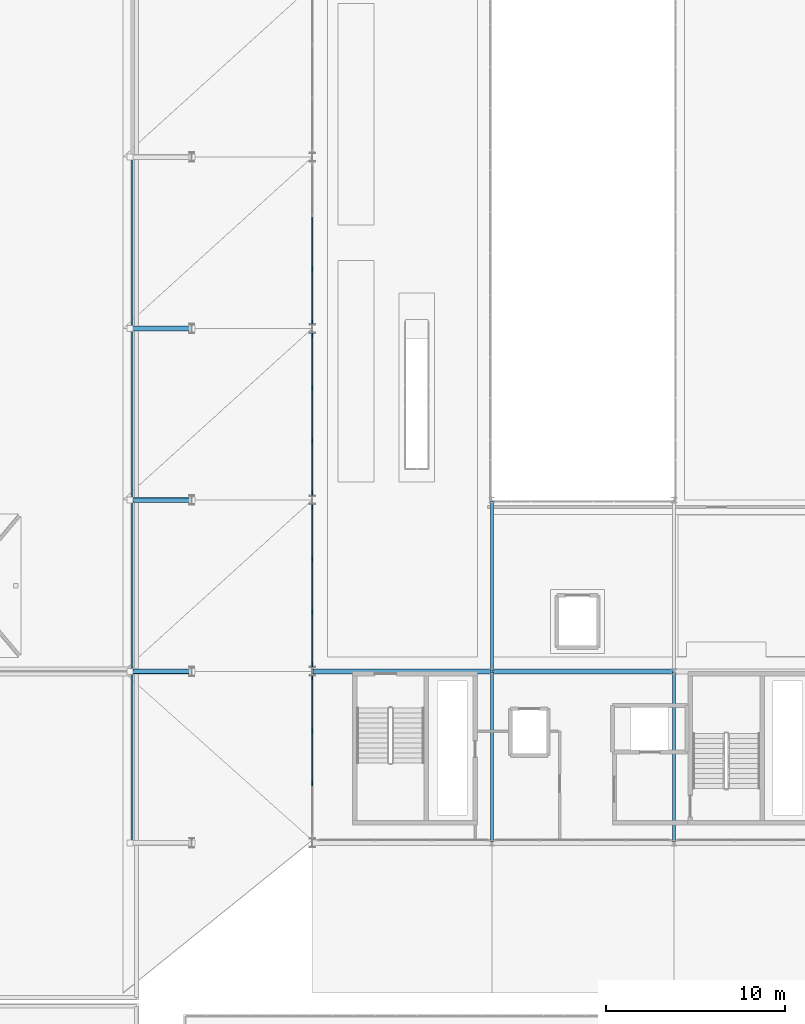
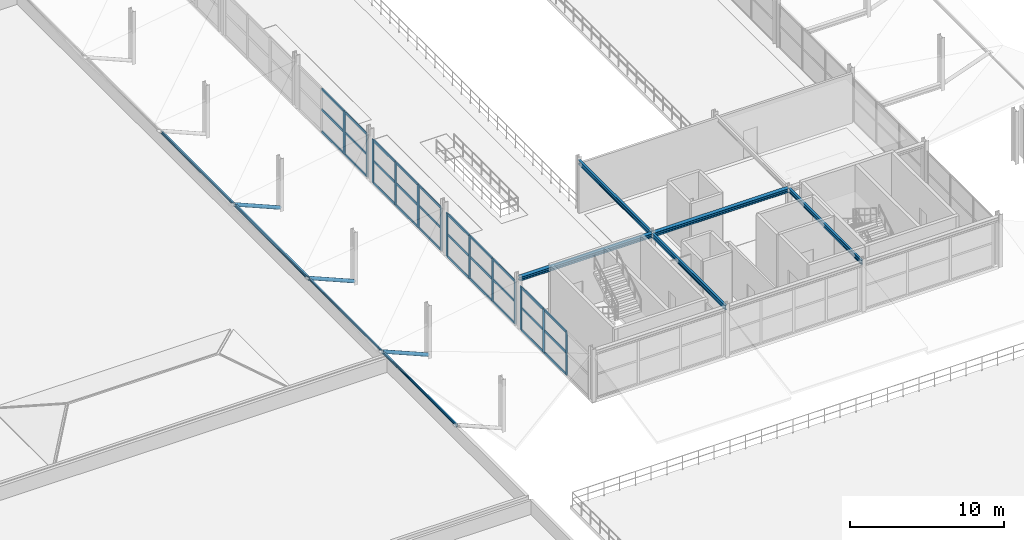
# One storey, part 19 of 81: 50 members, 5 beams, 4 elements without a shape of their own.
"""IFC4 building model written with IfcOpenShell, lengths in metres."""

from ifc_helpers import new_model, si_unit, direction, frame, origin, origin_2d, place, context, subcontext, project, spatial, rectangle, hollow_circle, i_section, extrude, material, layer, layer_set, material_profile, profile_set, type_object, element, aggregate, save


model = new_model("IFC4")

# Units and contexts
model_context = context("Model", 3, precision=1e-05, world=origin(), true_north=direction((0.0, 1.0)))
body_context = subcontext(model_context, "Body", "Model", "MODEL_VIEW")
ifc_project = project(units=[si_unit("LENGTHUNIT", "METRE"), si_unit("AREAUNIT", "SQUARE_METRE"), si_unit("VOLUMEUNIT", "CUBIC_METRE"), si_unit("PLANEANGLEUNIT", "RADIAN"), si_unit("MASSUNIT", "GRAM", prefix="KILO")], contexts=[model_context])

# Site, building, storey
site_placement = place(None, origin())
site = spatial("IfcSite", under=ifc_project, at=site_placement, CompositionType="ELEMENT")
building_placement = place(site_placement, origin())
building = spatial("IfcBuilding", under=site, at=building_placement, Name="Myrtia Square Station", CompositionType="ELEMENT")
storey_placement = place(building_placement, frame((0.0, 0.0, 10.800048828125)))
storey = spatial("IfcBuildingStorey", under=building, at=storey_placement, Name="L02", CompositionType="ELEMENT", Elevation=10.800048828125)

# Beams
ifc_material_1 = material(Name="Steel S355", Category="steel")
ifc_material_profile_1 = material_profile(ifc_material_1, i_section(OverallWidth=0.300048828125, OverallDepth=0.300048828125, WebThickness=0.010986328125, FlangeThickness=0.01904296875, FilletRadius=0.027099609375, at=origin_2d()), Name="HEB 300")
ifc_profile_set_1 = profile_set([ifc_material_profile_1], Name="Steel S355")
beam_type_1 = type_object("IfcBeamType", Name="BM-HEB300", PredefinedType="BEAM", material=ifc_profile_set_1)
beam_1_placement = place(storey_placement, frame((79.39990234375, 38.39990234375, 3.81005859375), z_axis=(1.0, 0.0, 0.0), x_axis=(0.0, 1.0, 0.0)))
element("IfcBeam", 1, at=beam_1_placement, inside=storey, type_object=beam_type_1, Name="Structural girder BMX-L02-0694", PredefinedType="BEAM", context=body_context, shape_type="SweptSolid", body=[
    extrude(i_section(OverallWidth=0.300048828125, OverallDepth=0.300048828125, WebThickness=0.010986328125, FlangeThickness=0.01904296875, FilletRadius=0.027099609375, at=origin_2d()), origin(), (0.0, 0.0, 1.0), 9.9501953125),
])
beam_2_placement = place(storey_placement, frame((89.449951171875, 38.39990234375, 3.81005859375), z_axis=(1.0, 0.0, 0.0), x_axis=(0.0, 1.0, 0.0)))
element("IfcBeam", 2, at=beam_2_placement, inside=storey, type_object=beam_type_1, Name="Structural girder BMX-L02-0695", PredefinedType="BEAM", context=body_context, shape_type="SweptSolid", body=[
    extrude(i_section(OverallWidth=0.300048828125, OverallDepth=0.300048828125, WebThickness=0.010986328125, FlangeThickness=0.01904296875, FilletRadius=0.027099609375, at=origin_2d()), origin(), (0.0, 0.0, 1.0), 10.10009765625),
])
ifc_material_profile_2 = material_profile(ifc_material_1, i_section(OverallWidth=0.159912109375, OverallDepth=0.330078125, WebThickness=0.007568359375, FlangeThickness=0.011474609375, FilletRadius=0.01806640625, at=origin_2d()), Name="IPE 330")
ifc_profile_set_2 = profile_set([ifc_material_profile_2], Name="Steel S355")
beam_type_2 = type_object("IfcBeamType", Name="BM-IPE330", PredefinedType="BEAM", material=ifc_profile_set_2)
beam_3_placement = place(storey_placement, frame((99.60009765625, 28.85009765625, 3.794921875), z_axis=(0.0, 1.0, 0.0), x_axis=(-1.0, 0.0, 0.0)))
element("IfcBeam", 3, at=beam_3_placement, inside=storey, type_object=beam_type_2, Name="Structural girder BMY-L02-0707", PredefinedType="BEAM", context=body_context, shape_type="SweptSolid", body=[
    extrude(i_section(OverallWidth=0.159912109375, OverallDepth=0.330078125, WebThickness=0.007568359375, FlangeThickness=0.011474609375, FilletRadius=0.01806640625, at=origin_2d()), origin(), (0.0, 0.0, 1.0), 9.5),
])
ifc_material_profile_3 = material_profile(ifc_material_1, i_section(OverallWidth=0.169921875, OverallDepth=0.360107421875, WebThickness=0.008056640625, FlangeThickness=0.0126953125, FilletRadius=0.01806640625, at=origin_2d()), Name="IPE 360")
ifc_profile_set_3 = profile_set([ifc_material_profile_3], Name="Steel S355")
beam_type_3 = type_object("IfcBeamType", Name="BM-IPE360", PredefinedType="BEAM", material=ifc_profile_set_3)
for number, where, z_axis, x_axis, name in (
    (4, (89.39990234375, 28.85009765625, 3.780029296875), (0.0, 1.0, 0.0), (-1.0, 0.0, 0.0), "Structural girder BMY-L02-0703"),
    (5, (89.39990234375, 38.449951171875, 3.780029296875), (0.0, 1.0, 0.0), (-1.0, 0.0, 0.0), "Structural girder BMY-L02-0704"),
):
    element("IfcBeam", number, at=place(storey_placement, frame(where, z_axis=z_axis, x_axis=x_axis)), inside=storey, type_object=beam_type_3, Name=name, PredefinedType="BEAM", context=body_context, shape_type="SweptSolid", body=[
        extrude(i_section(OverallWidth=0.169921875, OverallDepth=0.360107421875, WebThickness=0.008056640625, FlangeThickness=0.0126953125, FilletRadius=0.01806640625, at=origin_2d()), origin(), (0.0, 0.0, 1.0), 9.5),
    ])

# Curtain wall, members
ifc_material_2 = material(Name="Dark bronze anodised aluminium", Category="aluminium")
ifc_layer = layer(ifc_material_2, 0.159912109375, Name="Dark bronze anodised aluminium")
ifc_layer_set = layer_set([ifc_layer], Name="Dark bronze anodised aluminium")
curtain_wall_type = type_object("IfcCurtainWallType", Name="CW-TYPE-05-890x341", PredefinedType="USERDEFINED", material=ifc_layer_set)
curtain_wall_1_placement = place(storey_placement, origin())
curtain_wall_1 = element("IfcCurtainWall", 6, at=curtain_wall_1_placement, inside=storey, type_object=curtain_wall_type, Name="Concourse curtain wall CW-L02-019", ObjectType="CONCOURSE CURTAIN WALL", PredefinedType="USERDEFINED")
ifc_material_profile_4 = material_profile(ifc_material_2, rectangle(XDim=0.074951171875, YDim=0.239990234375, at=origin_2d()), Name="ALU-M 75x240")
ifc_profile_set_4 = profile_set([ifc_material_profile_4], Name="Dark bronze anodised aluminium")
member_type_1 = type_object("IfcMemberType", Name="CWM-75x240", PredefinedType="MULLION", material=ifc_profile_set_4)
member_1_placement = place(storey_placement, frame((79.35009765625, 32.11669921875, 0.0), z_axis=(0.0, 0.0, 1.0), x_axis=(-1.0, 0.0, 0.0)))
member_1 = element("IfcMember", 7, at=member_1_placement, type_object=member_type_1, Name="CW-019 mullion 2", PredefinedType="MULLION", context=body_context, shape_type="SweptSolid", body=[
    extrude(rectangle(XDim=0.074951171875, YDim=0.239990234375, at=origin_2d()), origin(), (0.0, 0.0, 1.0), 3.409912109375),
])
member_2_placement = place(storey_placement, frame((79.35009765625, 35.083251953125, 0.0), z_axis=(0.0, 0.0, 1.0), x_axis=(-1.0, 0.0, 0.0)))
member_2 = element("IfcMember", 8, at=member_2_placement, type_object=member_type_1, Name="CW-019 mullion 3", PredefinedType="MULLION", context=body_context, shape_type="SweptSolid", body=[
    extrude(rectangle(XDim=0.074951171875, YDim=0.239990234375, at=origin_2d()), origin(), (0.0, 0.0, 1.0), 3.409912109375),
])
member_3_placement = place(storey_placement, frame((79.35009765625, 38.012451171875, 0.0), z_axis=(0.0, 0.0, 1.0), x_axis=(-1.0, 0.0, 0.0)))
member_3 = element("IfcMember", 9, at=member_3_placement, type_object=member_type_1, Name="CW-019 mullion 4", PredefinedType="MULLION", context=body_context, shape_type="SweptSolid", body=[
    extrude(rectangle(XDim=0.074951171875, YDim=0.239990234375, at=origin_2d()), origin(), (0.0, 0.0, 1.0), 3.409912109375),
])

curtain_wall_2_placement = place(storey_placement, origin())
curtain_wall_2 = element("IfcCurtainWall", 10, at=curtain_wall_2_placement, inside=storey, type_object=curtain_wall_type, Name="Concourse curtain wall CW-L02-021", ObjectType="CONCOURSE CURTAIN WALL", PredefinedType="USERDEFINED")
member_4_placement = place(storey_placement, frame((79.35009765625, 38.78759765625, 0.0), z_axis=(0.0, 0.0, 1.0), x_axis=(-1.0, 0.0, 0.0)))
member_4 = element("IfcMember", 11, at=member_4_placement, type_object=member_type_1, Name="CW-021 mullion 1", PredefinedType="MULLION", context=body_context, shape_type="SweptSolid", body=[
    extrude(rectangle(XDim=0.074951171875, YDim=0.239990234375, at=origin_2d()), origin(), (0.0, 0.0, 1.0), 3.409912109375),
])
member_5_placement = place(storey_placement, frame((79.35009765625, 41.716552734375, 0.0), z_axis=(0.0, 0.0, 1.0), x_axis=(-1.0, 0.0, 0.0)))
member_5 = element("IfcMember", 12, at=member_5_placement, type_object=member_type_1, Name="CW-021 mullion 2", PredefinedType="MULLION", context=body_context, shape_type="SweptSolid", body=[
    extrude(rectangle(XDim=0.074951171875, YDim=0.239990234375, at=origin_2d()), origin(), (0.0, 0.0, 1.0), 3.409912109375),
])
member_6_placement = place(storey_placement, frame((79.35009765625, 44.683349609375, 0.0), z_axis=(0.0, 0.0, 1.0), x_axis=(-1.0, 0.0, 0.0)))
member_6 = element("IfcMember", 13, at=member_6_placement, type_object=member_type_1, Name="CW-021 mullion 3", PredefinedType="MULLION", context=body_context, shape_type="SweptSolid", body=[
    extrude(rectangle(XDim=0.074951171875, YDim=0.239990234375, at=origin_2d()), origin(), (0.0, 0.0, 1.0), 3.409912109375),
])
member_7_placement = place(storey_placement, frame((79.35009765625, 47.612548828125, 0.0), z_axis=(0.0, 0.0, 1.0), x_axis=(-1.0, 0.0, 0.0)))
member_7 = element("IfcMember", 14, at=member_7_placement, type_object=member_type_1, Name="CW-021 mullion 4", PredefinedType="MULLION", context=body_context, shape_type="SweptSolid", body=[
    extrude(rectangle(XDim=0.074951171875, YDim=0.239990234375, at=origin_2d()), origin(), (0.0, 0.0, 1.0), 3.409912109375),
])

curtain_wall_3_placement = place(storey_placement, origin())
curtain_wall_3 = element("IfcCurtainWall", 15, at=curtain_wall_3_placement, inside=storey, type_object=curtain_wall_type, Name="Concourse curtain wall CW-L02-023", ObjectType="CONCOURSE CURTAIN WALL", PredefinedType="USERDEFINED")
member_8_placement = place(storey_placement, frame((79.35009765625, 48.387451171875, 0.0), z_axis=(0.0, 0.0, 1.0), x_axis=(-1.0, 0.0, 0.0)))
member_8 = element("IfcMember", 16, at=member_8_placement, type_object=member_type_1, Name="CW-023 mullion 1", PredefinedType="MULLION", context=body_context, shape_type="SweptSolid", body=[
    extrude(rectangle(XDim=0.074951171875, YDim=0.239990234375, at=origin_2d()), origin(), (0.0, 0.0, 1.0), 3.409912109375),
])
member_9_placement = place(storey_placement, frame((79.35009765625, 51.316650390625, 0.0), z_axis=(0.0, 0.0, 1.0), x_axis=(-1.0, 0.0, 0.0)))
member_9 = element("IfcMember", 17, at=member_9_placement, type_object=member_type_1, Name="CW-023 mullion 2", PredefinedType="MULLION", context=body_context, shape_type="SweptSolid", body=[
    extrude(rectangle(XDim=0.074951171875, YDim=0.239990234375, at=origin_2d()), origin(), (0.0, 0.0, 1.0), 3.409912109375),
])
member_10_placement = place(storey_placement, frame((79.35009765625, 54.283447265625, 0.0), z_axis=(0.0, 0.0, 1.0), x_axis=(-1.0, 0.0, 0.0)))
member_10 = element("IfcMember", 18, at=member_10_placement, type_object=member_type_1, Name="CW-023 mullion 3", PredefinedType="MULLION", context=body_context, shape_type="SweptSolid", body=[
    extrude(rectangle(XDim=0.074951171875, YDim=0.239990234375, at=origin_2d()), origin(), (0.0, 0.0, 1.0), 3.409912109375),
])
member_11_placement = place(storey_placement, frame((79.35009765625, 57.21240234375, 0.0), z_axis=(0.0, 0.0, 1.0), x_axis=(-1.0, 0.0, 0.0)))
member_11 = element("IfcMember", 19, at=member_11_placement, type_object=member_type_1, Name="CW-023 mullion 4", PredefinedType="MULLION", context=body_context, shape_type="SweptSolid", body=[
    extrude(rectangle(XDim=0.074951171875, YDim=0.239990234375, at=origin_2d()), origin(), (0.0, 0.0, 1.0), 3.409912109375),
])

curtain_wall_4_placement = place(storey_placement, origin())
curtain_wall_4 = element("IfcCurtainWall", 20, at=curtain_wall_4_placement, inside=storey, type_object=curtain_wall_type, Name="Concourse curtain wall CW-L02-025", ObjectType="CONCOURSE CURTAIN WALL", PredefinedType="USERDEFINED")
member_12_placement = place(storey_placement, frame((79.35009765625, 57.987548828125, 0.0), z_axis=(0.0, 0.0, 1.0), x_axis=(-1.0, 0.0, 0.0)))
member_12 = element("IfcMember", 21, at=member_12_placement, type_object=member_type_1, Name="CW-025 mullion 1", PredefinedType="MULLION", context=body_context, shape_type="SweptSolid", body=[
    extrude(rectangle(XDim=0.074951171875, YDim=0.239990234375, at=origin_2d()), origin(), (0.0, 0.0, 1.0), 3.409912109375),
])
member_13_placement = place(storey_placement, frame((79.35009765625, 60.916748046875, 0.0), z_axis=(0.0, 0.0, 1.0), x_axis=(-1.0, 0.0, 0.0)))
member_13 = element("IfcMember", 22, at=member_13_placement, type_object=member_type_1, Name="CW-025 mullion 2", PredefinedType="MULLION", context=body_context, shape_type="SweptSolid", body=[
    extrude(rectangle(XDim=0.074951171875, YDim=0.239990234375, at=origin_2d()), origin(), (0.0, 0.0, 1.0), 3.409912109375),
])

# Member
ifc_material_profile_5 = material_profile(ifc_material_2, rectangle(XDim=0.074951171875, YDim=0.179931640625, at=origin_2d()), Name="ALU-T 75x180")
ifc_profile_set_5 = profile_set([ifc_material_profile_5], Name="Dark bronze anodised aluminium")
member_type_2 = type_object("IfcMemberType", Name="CWT-75x180", PredefinedType="USERDEFINED", material=ifc_profile_set_5)
member_14_placement = place(storey_placement, frame((79.35009765625, 32.154052734375, 0.037353515625), z_axis=(0.0, 1.0, 0.0), x_axis=(-1.0, 0.0, 0.0)))
member_14 = element("IfcMember", 23, at=member_14_placement, type_object=member_type_2, Name="CW-019 transom 2.1", ObjectType="TRANSOM", PredefinedType="USERDEFINED", context=body_context, shape_type="SweptSolid", body=[
    extrude(rectangle(XDim=0.074951171875, YDim=0.179931640625, at=origin_2d()), origin(), (0.0, 0.0, 1.0), 2.891845703125),
])

member_15_placement = place(storey_placement, frame((79.35009765625, 32.154052734375, 1.77294921875), z_axis=(0.0, 1.0, 0.0), x_axis=(-1.0, 0.0, 0.0)))
member_15 = element("IfcMember", 24, at=member_15_placement, type_object=member_type_2, Name="CW-019 transom 2.2", ObjectType="TRANSOM", PredefinedType="USERDEFINED", context=body_context, shape_type="SweptSolid", body=[
    extrude(rectangle(XDim=0.074951171875, YDim=0.179931640625, at=origin_2d()), origin(), (0.0, 0.0, 1.0), 2.891845703125),
])

member_16_placement = place(storey_placement, frame((79.35009765625, 32.154052734375, 3.37255859375), z_axis=(0.0, 1.0, 0.0), x_axis=(-1.0, 0.0, 0.0)))
member_16 = element("IfcMember", 25, at=member_16_placement, type_object=member_type_2, Name="CW-019 transom 2.3", ObjectType="TRANSOM", PredefinedType="USERDEFINED", context=body_context, shape_type="SweptSolid", body=[
    extrude(rectangle(XDim=0.074951171875, YDim=0.179931640625, at=origin_2d()), origin(), (0.0, 0.0, 1.0), 2.891845703125),
])

member_17_placement = place(storey_placement, frame((79.35009765625, 35.120849609375, 0.037353515625), z_axis=(0.0, 1.0, 0.0), x_axis=(-1.0, 0.0, 0.0)))
member_17 = element("IfcMember", 26, at=member_17_placement, type_object=member_type_2, Name="CW-019 transom 3.1", ObjectType="TRANSOM", PredefinedType="USERDEFINED", context=body_context, shape_type="SweptSolid", body=[
    extrude(rectangle(XDim=0.074951171875, YDim=0.179931640625, at=origin_2d()), origin(), (0.0, 0.0, 1.0), 2.854248046875),
])

member_18_placement = place(storey_placement, frame((79.35009765625, 35.120849609375, 1.77294921875), z_axis=(0.0, 1.0, 0.0), x_axis=(-1.0, 0.0, 0.0)))
member_18 = element("IfcMember", 27, at=member_18_placement, type_object=member_type_2, Name="CW-019 transom 3.2", ObjectType="TRANSOM", PredefinedType="USERDEFINED", context=body_context, shape_type="SweptSolid", body=[
    extrude(rectangle(XDim=0.074951171875, YDim=0.179931640625, at=origin_2d()), origin(), (0.0, 0.0, 1.0), 2.854248046875),
])

member_19_placement = place(storey_placement, frame((79.35009765625, 35.120849609375, 3.37255859375), z_axis=(0.0, 1.0, 0.0), x_axis=(-1.0, 0.0, 0.0)))
member_19 = element("IfcMember", 28, at=member_19_placement, type_object=member_type_2, Name="CW-019 transom 3.3", ObjectType="TRANSOM", PredefinedType="USERDEFINED", context=body_context, shape_type="SweptSolid", body=[
    extrude(rectangle(XDim=0.074951171875, YDim=0.179931640625, at=origin_2d()), origin(), (0.0, 0.0, 1.0), 2.854248046875),
])

aggregate(curtain_wall_1, [member_1, member_2, member_3, member_14, member_15, member_16, member_17, member_18, member_19])

member_20_placement = place(storey_placement, frame((79.35009765625, 38.824951171875, 0.037353515625), z_axis=(0.0, 1.0, 0.0), x_axis=(-1.0, 0.0, 0.0)))
member_20 = element("IfcMember", 29, at=member_20_placement, type_object=member_type_2, Name="CW-021 transom 1.1", ObjectType="TRANSOM", PredefinedType="USERDEFINED", context=body_context, shape_type="SweptSolid", body=[
    extrude(rectangle(XDim=0.074951171875, YDim=0.179931640625, at=origin_2d()), origin(), (0.0, 0.0, 1.0), 2.854248046875),
])

member_21_placement = place(storey_placement, frame((79.35009765625, 38.824951171875, 1.77294921875), z_axis=(0.0, 1.0, 0.0), x_axis=(-1.0, 0.0, 0.0)))
member_21 = element("IfcMember", 30, at=member_21_placement, type_object=member_type_2, Name="CW-021 transom 1.2", ObjectType="TRANSOM", PredefinedType="USERDEFINED", context=body_context, shape_type="SweptSolid", body=[
    extrude(rectangle(XDim=0.074951171875, YDim=0.179931640625, at=origin_2d()), origin(), (0.0, 0.0, 1.0), 2.854248046875),
])

member_22_placement = place(storey_placement, frame((79.35009765625, 38.824951171875, 3.37255859375), z_axis=(0.0, 1.0, 0.0), x_axis=(-1.0, 0.0, 0.0)))
member_22 = element("IfcMember", 31, at=member_22_placement, type_object=member_type_2, Name="CW-021 transom 1.3", ObjectType="TRANSOM", PredefinedType="USERDEFINED", context=body_context, shape_type="SweptSolid", body=[
    extrude(rectangle(XDim=0.074951171875, YDim=0.179931640625, at=origin_2d()), origin(), (0.0, 0.0, 1.0), 2.854248046875),
])

member_23_placement = place(storey_placement, frame((79.35009765625, 41.754150390625, 0.037353515625), z_axis=(0.0, 1.0, 0.0), x_axis=(-1.0, 0.0, 0.0)))
member_23 = element("IfcMember", 32, at=member_23_placement, type_object=member_type_2, Name="CW-021 transom 2.1", ObjectType="TRANSOM", PredefinedType="USERDEFINED", context=body_context, shape_type="SweptSolid", body=[
    extrude(rectangle(XDim=0.074951171875, YDim=0.179931640625, at=origin_2d()), origin(), (0.0, 0.0, 1.0), 2.8916015625),
])

member_24_placement = place(storey_placement, frame((79.35009765625, 41.754150390625, 1.77294921875), z_axis=(0.0, 1.0, 0.0), x_axis=(-1.0, 0.0, 0.0)))
member_24 = element("IfcMember", 33, at=member_24_placement, type_object=member_type_2, Name="CW-021 transom 2.2", ObjectType="TRANSOM", PredefinedType="USERDEFINED", context=body_context, shape_type="SweptSolid", body=[
    extrude(rectangle(XDim=0.074951171875, YDim=0.179931640625, at=origin_2d()), origin(), (0.0, 0.0, 1.0), 2.8916015625),
])

member_25_placement = place(storey_placement, frame((79.35009765625, 41.754150390625, 3.37255859375), z_axis=(0.0, 1.0, 0.0), x_axis=(-1.0, 0.0, 0.0)))
member_25 = element("IfcMember", 34, at=member_25_placement, type_object=member_type_2, Name="CW-021 transom 2.3", ObjectType="TRANSOM", PredefinedType="USERDEFINED", context=body_context, shape_type="SweptSolid", body=[
    extrude(rectangle(XDim=0.074951171875, YDim=0.179931640625, at=origin_2d()), origin(), (0.0, 0.0, 1.0), 2.8916015625),
])

member_26_placement = place(storey_placement, frame((79.35009765625, 44.720947265625, 0.037353515625), z_axis=(0.0, 1.0, 0.0), x_axis=(-1.0, 0.0, 0.0)))
member_26 = element("IfcMember", 35, at=member_26_placement, type_object=member_type_2, Name="CW-021 transom 3.1", ObjectType="TRANSOM", PredefinedType="USERDEFINED", context=body_context, shape_type="SweptSolid", body=[
    extrude(rectangle(XDim=0.074951171875, YDim=0.179931640625, at=origin_2d()), origin(), (0.0, 0.0, 1.0), 2.85400390625),
])

member_27_placement = place(storey_placement, frame((79.35009765625, 44.720947265625, 1.77294921875), z_axis=(0.0, 1.0, 0.0), x_axis=(-1.0, 0.0, 0.0)))
member_27 = element("IfcMember", 36, at=member_27_placement, type_object=member_type_2, Name="CW-021 transom 3.2", ObjectType="TRANSOM", PredefinedType="USERDEFINED", context=body_context, shape_type="SweptSolid", body=[
    extrude(rectangle(XDim=0.074951171875, YDim=0.179931640625, at=origin_2d()), origin(), (0.0, 0.0, 1.0), 2.85400390625),
])

member_28_placement = place(storey_placement, frame((79.35009765625, 44.720947265625, 3.37255859375), z_axis=(0.0, 1.0, 0.0), x_axis=(-1.0, 0.0, 0.0)))
member_28 = element("IfcMember", 37, at=member_28_placement, type_object=member_type_2, Name="CW-021 transom 3.3", ObjectType="TRANSOM", PredefinedType="USERDEFINED", context=body_context, shape_type="SweptSolid", body=[
    extrude(rectangle(XDim=0.074951171875, YDim=0.179931640625, at=origin_2d()), origin(), (0.0, 0.0, 1.0), 2.85400390625),
])

aggregate(curtain_wall_2, [member_4, member_5, member_6, member_7, member_20, member_21, member_22, member_23, member_24, member_25, member_26, member_27, member_28])

member_29_placement = place(storey_placement, frame((79.35009765625, 48.425048828125, 0.037353515625), z_axis=(0.0, 1.0, 0.0), x_axis=(-1.0, 0.0, 0.0)))
member_29 = element("IfcMember", 38, at=member_29_placement, type_object=member_type_2, Name="CW-023 transom 1.1", ObjectType="TRANSOM", PredefinedType="USERDEFINED", context=body_context, shape_type="SweptSolid", body=[
    extrude(rectangle(XDim=0.074951171875, YDim=0.179931640625, at=origin_2d()), origin(), (0.0, 0.0, 1.0), 2.85400390625),
])

member_30_placement = place(storey_placement, frame((79.35009765625, 48.425048828125, 1.77294921875), z_axis=(0.0, 1.0, 0.0), x_axis=(-1.0, 0.0, 0.0)))
member_30 = element("IfcMember", 39, at=member_30_placement, type_object=member_type_2, Name="CW-023 transom 1.2", ObjectType="TRANSOM", PredefinedType="USERDEFINED", context=body_context, shape_type="SweptSolid", body=[
    extrude(rectangle(XDim=0.074951171875, YDim=0.179931640625, at=origin_2d()), origin(), (0.0, 0.0, 1.0), 2.85400390625),
])

member_31_placement = place(storey_placement, frame((79.35009765625, 48.425048828125, 3.37255859375), z_axis=(0.0, 1.0, 0.0), x_axis=(-1.0, 0.0, 0.0)))
member_31 = element("IfcMember", 40, at=member_31_placement, type_object=member_type_2, Name="CW-023 transom 1.3", ObjectType="TRANSOM", PredefinedType="USERDEFINED", context=body_context, shape_type="SweptSolid", body=[
    extrude(rectangle(XDim=0.074951171875, YDim=0.179931640625, at=origin_2d()), origin(), (0.0, 0.0, 1.0), 2.85400390625),
])

member_32_placement = place(storey_placement, frame((79.35009765625, 51.354248046875, 0.037353515625), z_axis=(0.0, 1.0, 0.0), x_axis=(-1.0, 0.0, 0.0)))
member_32 = element("IfcMember", 41, at=member_32_placement, type_object=member_type_2, Name="CW-023 transom 2.1", ObjectType="TRANSOM", PredefinedType="USERDEFINED", context=body_context, shape_type="SweptSolid", body=[
    extrude(rectangle(XDim=0.074951171875, YDim=0.179931640625, at=origin_2d()), origin(), (0.0, 0.0, 1.0), 2.8916015625),
])

member_33_placement = place(storey_placement, frame((79.35009765625, 51.354248046875, 1.77294921875), z_axis=(0.0, 1.0, 0.0), x_axis=(-1.0, 0.0, 0.0)))
member_33 = element("IfcMember", 42, at=member_33_placement, type_object=member_type_2, Name="CW-023 transom 2.2", ObjectType="TRANSOM", PredefinedType="USERDEFINED", context=body_context, shape_type="SweptSolid", body=[
    extrude(rectangle(XDim=0.074951171875, YDim=0.179931640625, at=origin_2d()), origin(), (0.0, 0.0, 1.0), 2.8916015625),
])

member_34_placement = place(storey_placement, frame((79.35009765625, 51.354248046875, 3.37255859375), z_axis=(0.0, 1.0, 0.0), x_axis=(-1.0, 0.0, 0.0)))
member_34 = element("IfcMember", 43, at=member_34_placement, type_object=member_type_2, Name="CW-023 transom 2.3", ObjectType="TRANSOM", PredefinedType="USERDEFINED", context=body_context, shape_type="SweptSolid", body=[
    extrude(rectangle(XDim=0.074951171875, YDim=0.179931640625, at=origin_2d()), origin(), (0.0, 0.0, 1.0), 2.8916015625),
])

member_35_placement = place(storey_placement, frame((79.35009765625, 54.32080078125, 0.037353515625), z_axis=(0.0, 1.0, 0.0), x_axis=(-1.0, 0.0, 0.0)))
member_35 = element("IfcMember", 44, at=member_35_placement, type_object=member_type_2, Name="CW-023 transom 3.1", ObjectType="TRANSOM", PredefinedType="USERDEFINED", context=body_context, shape_type="SweptSolid", body=[
    extrude(rectangle(XDim=0.074951171875, YDim=0.179931640625, at=origin_2d()), origin(), (0.0, 0.0, 1.0), 2.854248046875),
])

member_36_placement = place(storey_placement, frame((79.35009765625, 54.32080078125, 1.77294921875), z_axis=(0.0, 1.0, 0.0), x_axis=(-1.0, 0.0, 0.0)))
member_36 = element("IfcMember", 45, at=member_36_placement, type_object=member_type_2, Name="CW-023 transom 3.2", ObjectType="TRANSOM", PredefinedType="USERDEFINED", context=body_context, shape_type="SweptSolid", body=[
    extrude(rectangle(XDim=0.074951171875, YDim=0.179931640625, at=origin_2d()), origin(), (0.0, 0.0, 1.0), 2.854248046875),
])

member_37_placement = place(storey_placement, frame((79.35009765625, 54.32080078125, 3.37255859375), z_axis=(0.0, 1.0, 0.0), x_axis=(-1.0, 0.0, 0.0)))
member_37 = element("IfcMember", 46, at=member_37_placement, type_object=member_type_2, Name="CW-023 transom 3.3", ObjectType="TRANSOM", PredefinedType="USERDEFINED", context=body_context, shape_type="SweptSolid", body=[
    extrude(rectangle(XDim=0.074951171875, YDim=0.179931640625, at=origin_2d()), origin(), (0.0, 0.0, 1.0), 2.854248046875),
])

aggregate(curtain_wall_3, [member_8, member_9, member_10, member_11, member_29, member_30, member_31, member_32, member_33, member_34, member_35, member_36, member_37])

member_38_placement = place(storey_placement, frame((79.35009765625, 58.02490234375, 0.037353515625), z_axis=(0.0, 1.0, 0.0), x_axis=(-1.0, 0.0, 0.0)))
member_38 = element("IfcMember", 47, at=member_38_placement, type_object=member_type_2, Name="CW-025 transom 1.1", ObjectType="TRANSOM", PredefinedType="USERDEFINED", context=body_context, shape_type="SweptSolid", body=[
    extrude(rectangle(XDim=0.074951171875, YDim=0.179931640625, at=origin_2d()), origin(), (0.0, 0.0, 1.0), 2.854248046875),
])

member_39_placement = place(storey_placement, frame((79.35009765625, 58.02490234375, 1.77294921875), z_axis=(0.0, 1.0, 0.0), x_axis=(-1.0, 0.0, 0.0)))
member_39 = element("IfcMember", 48, at=member_39_placement, type_object=member_type_2, Name="CW-025 transom 1.2", ObjectType="TRANSOM", PredefinedType="USERDEFINED", context=body_context, shape_type="SweptSolid", body=[
    extrude(rectangle(XDim=0.074951171875, YDim=0.179931640625, at=origin_2d()), origin(), (0.0, 0.0, 1.0), 2.854248046875),
])

member_40_placement = place(storey_placement, frame((79.35009765625, 58.02490234375, 3.37255859375), z_axis=(0.0, 1.0, 0.0), x_axis=(-1.0, 0.0, 0.0)))
member_40 = element("IfcMember", 49, at=member_40_placement, type_object=member_type_2, Name="CW-025 transom 1.3", ObjectType="TRANSOM", PredefinedType="USERDEFINED", context=body_context, shape_type="SweptSolid", body=[
    extrude(rectangle(XDim=0.074951171875, YDim=0.179931640625, at=origin_2d()), origin(), (0.0, 0.0, 1.0), 2.854248046875),
])

member_41_placement = place(storey_placement, frame((79.35009765625, 60.9541015625, 0.037353515625), z_axis=(0.0, 1.0, 0.0), x_axis=(-1.0, 0.0, 0.0)))
member_41 = element("IfcMember", 50, at=member_41_placement, type_object=member_type_2, Name="CW-025 transom 2.1", ObjectType="TRANSOM", PredefinedType="USERDEFINED", context=body_context, shape_type="SweptSolid", body=[
    extrude(rectangle(XDim=0.074951171875, YDim=0.179931640625, at=origin_2d()), origin(), (0.0, 0.0, 1.0), 2.891845703125),
])

member_42_placement = place(storey_placement, frame((79.35009765625, 60.9541015625, 1.77294921875), z_axis=(0.0, 1.0, 0.0), x_axis=(-1.0, 0.0, 0.0)))
member_42 = element("IfcMember", 51, at=member_42_placement, type_object=member_type_2, Name="CW-025 transom 2.2", ObjectType="TRANSOM", PredefinedType="USERDEFINED", context=body_context, shape_type="SweptSolid", body=[
    extrude(rectangle(XDim=0.074951171875, YDim=0.179931640625, at=origin_2d()), origin(), (0.0, 0.0, 1.0), 2.891845703125),
])

member_43_placement = place(storey_placement, frame((79.35009765625, 60.9541015625, 3.37255859375), z_axis=(0.0, 1.0, 0.0), x_axis=(-1.0, 0.0, 0.0)))
member_43 = element("IfcMember", 52, at=member_43_placement, type_object=member_type_2, Name="CW-025 transom 2.3", ObjectType="TRANSOM", PredefinedType="USERDEFINED", context=body_context, shape_type="SweptSolid", body=[
    extrude(rectangle(XDim=0.074951171875, YDim=0.179931640625, at=origin_2d()), origin(), (0.0, 0.0, 1.0), 2.891845703125),
])

aggregate(curtain_wall_4, [member_12, member_13, member_38, member_39, member_40, member_41, member_42, member_43])

# Members
ifc_material_profile_6 = material_profile(ifc_material_1, i_section(OverallWidth=0.091064453125, OverallDepth=0.179931640625, WebThickness=0.00537109375, FlangeThickness=0.008056640625, FilletRadius=0.009033203125, at=origin_2d()), Name="IPE 180")
ifc_profile_set_6 = profile_set([ifc_material_profile_6], Name="Steel S355")
member_type_3 = type_object("IfcMemberType", Name="PUR-IPE180", PredefinedType="PURLIN", material=ifc_profile_set_6)
member_44_placement = place(storey_placement, frame((69.25, 38.39990234375, 1.510009765625), z_axis=(0.0, 1.0, 0.0), x_axis=(-1.0, 0.0, 0.0)))
element("IfcMember", 53, at=member_44_placement, inside=storey, type_object=member_type_3, Name="Overhang eave purlin PUR-L02-0016", PredefinedType="PURLIN", context=body_context, shape_type="SweptSolid", body=[
    extrude(i_section(OverallWidth=0.091064453125, OverallDepth=0.179931640625, WebThickness=0.00537109375, FlangeThickness=0.008056640625, FilletRadius=0.009033203125, at=origin_2d()), origin(), (0.0, 0.0, 1.0), 9.60009765625),
])
ifc_material_profile_7 = material_profile(ifc_material_1, i_section(OverallWidth=0.10009765625, OverallDepth=0.199951171875, WebThickness=0.005615234375, FlangeThickness=0.008544921875, FilletRadius=0.011962890625, at=origin_2d()), Name="IPE 200")
ifc_profile_set_7 = profile_set([ifc_material_profile_7], Name="Steel S355")
member_type_4 = type_object("IfcMemberType", Name="PUR-IPE200", PredefinedType="PURLIN", material=ifc_profile_set_7)
member_45_placement = place(storey_placement, frame((69.25, 28.800048828125, 1.510009765625), z_axis=(0.0, 1.0, 0.0), x_axis=(-1.0, 0.0, 0.0)))
element("IfcMember", 54, at=member_45_placement, inside=storey, type_object=member_type_4, Name="Overhang eave purlin PUR-L02-0008", PredefinedType="PURLIN", context=body_context, shape_type="SweptSolid", body=[
    extrude(i_section(OverallWidth=0.10009765625, OverallDepth=0.199951171875, WebThickness=0.005615234375, FlangeThickness=0.008544921875, FilletRadius=0.011962890625, at=origin_2d()), origin(), (0.0, 0.0, 1.0), 9.599853515625),
])
ifc_material_profile_8 = material_profile(ifc_material_1, i_section(OverallWidth=0.110107421875, OverallDepth=0.219970703125, WebThickness=0.005859375, FlangeThickness=0.00927734375, FilletRadius=0.011962890625, at=origin_2d()), Name="IPE 220")
ifc_profile_set_8 = profile_set([ifc_material_profile_8], Name="Steel S355")
member_type_5 = type_object("IfcMemberType", Name="PUR-IPE220", PredefinedType="PURLIN", material=ifc_profile_set_8)
member_46_placement = place(storey_placement, frame((69.25, 57.60009765625, 1.510009765625), z_axis=(0.0, 1.0, 0.0), x_axis=(-1.0, 0.0, 0.0)))
element("IfcMember", 55, at=member_46_placement, inside=storey, type_object=member_type_5, Name="Overhang eave purlin PUR-L02-0034", PredefinedType="PURLIN", context=body_context, shape_type="SweptSolid", body=[
    extrude(i_section(OverallWidth=0.110107421875, OverallDepth=0.219970703125, WebThickness=0.005859375, FlangeThickness=0.00927734375, FilletRadius=0.011962890625, at=origin_2d()), origin(), (0.0, 0.0, 1.0), 9.599853515625),
])
ifc_material_profile_9 = material_profile(ifc_material_1, i_section(OverallWidth=0.1201171875, OverallDepth=0.239990234375, WebThickness=0.006103515625, FlangeThickness=0.009765625, FilletRadius=0.014892578125, at=origin_2d()), Name="IPE 240")
ifc_profile_set_9 = profile_set([ifc_material_profile_9], Name="Steel S355")
member_type_6 = type_object("IfcMemberType", Name="PUR-IPE240", PredefinedType="PURLIN", material=ifc_profile_set_9)
member_47_placement = place(storey_placement, frame((69.25, 48.0, 1.510009765625), z_axis=(0.0, 1.0, 0.0), x_axis=(-1.0, 0.0, 0.0)))
element("IfcMember", 56, at=member_47_placement, inside=storey, type_object=member_type_6, Name="Overhang eave purlin PUR-L02-0025", PredefinedType="PURLIN", context=body_context, shape_type="SweptSolid", body=[
    extrude(i_section(OverallWidth=0.1201171875, OverallDepth=0.239990234375, WebThickness=0.006103515625, FlangeThickness=0.009765625, FilletRadius=0.014892578125, at=origin_2d()), origin(), (0.0, 0.0, 1.0), 9.60009765625),
])
ifc_material_profile_10 = material_profile(ifc_material_1, hollow_circle(Radius=0.136474609375, WallThickness=0.01611328125, at=origin_2d()), Name="CHS 273x16")
ifc_profile_set_10 = profile_set([ifc_material_profile_10], Name="Steel S355")
member_type_7 = type_object("IfcMemberType", Name="STR-CHS273", PredefinedType="STRUT", material=ifc_profile_set_10)
for number, where, z_axis, x_axis, name in (
    (57, (72.60009765625, 38.39990234375, 0.14990234375), (-0.920450451423, 0.0, 0.39085926684), (0.0, -1.0, 0.0), "Lower wrap west raking strut STR-LO-006"),
    (58, (72.60009765625, 48.0, 0.14990234375), (-0.920450451423, 0.0, 0.39085926684), (0.0, -1.0, 0.0), "Lower wrap west raking strut STR-LO-009"),
    (59, (72.60009765625, 57.60009765625, 0.14990234375), (-0.920450451423, 0.0, 0.39085926684), (0.0, -1.0, 0.0), "Lower wrap west raking strut STR-LO-013"),
):
    element("IfcMember", number, at=place(storey_placement, frame(where, z_axis=z_axis, x_axis=x_axis)), inside=storey, type_object=member_type_7, Name=name, PredefinedType="STRUT", context=body_context, shape_type="SweptSolid", body=[
        extrude(hollow_circle(Radius=0.136474609375, WallThickness=0.01611328125, at=origin_2d()), origin(), (0.0, 0.0, 1.0), 3.748291015625),
    ])

save(model, "model.ifc")
